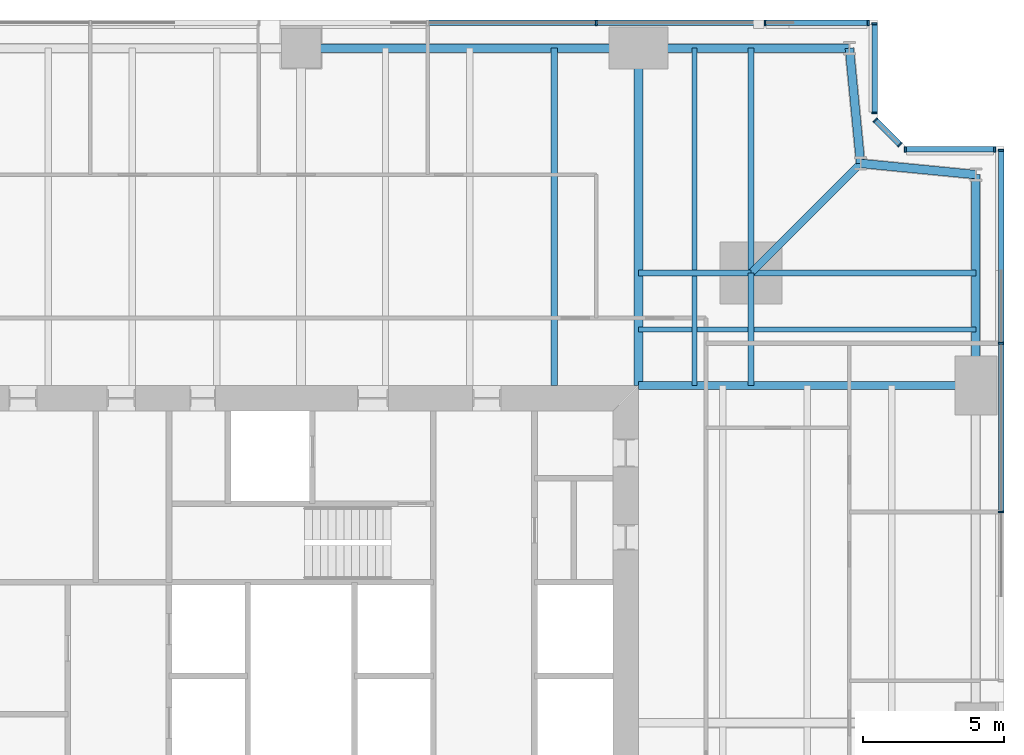
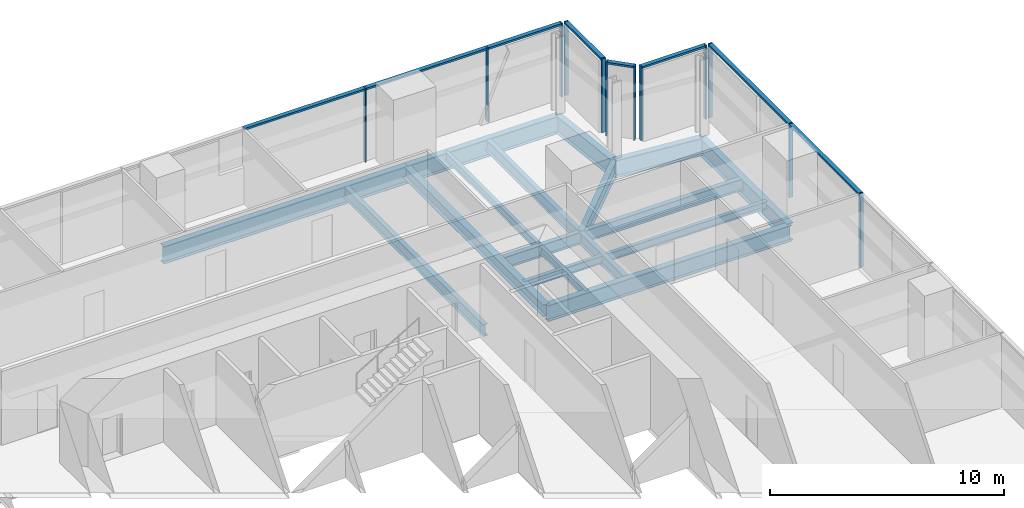
# One storey, part 7 of 13: 20 members, 18 beams, 5 elements without a shape of their own.
"""IFC4 building model written with IfcOpenShell, lengths in metres."""

from ifc_helpers import new_model, si_unit, direction, frame, origin, origin_2d, place, context, subcontext, project, spatial, rectangle, i_section, extrude, material, material_profile, profile_set, type_object, element, aggregate, save


model = new_model("IFC4")

# Units and contexts
model_context = context("Model", 3, precision=1e-05, world=origin(), true_north=direction((0.0, 1.0)))
body_context = subcontext(model_context, "Body", "Model", "MODEL_VIEW")
ifc_project = project(units=[si_unit("LENGTHUNIT", "METRE"), si_unit("AREAUNIT", "SQUARE_METRE"), si_unit("VOLUMEUNIT", "CUBIC_METRE"), si_unit("PLANEANGLEUNIT", "RADIAN"), si_unit("MASSUNIT", "GRAM", prefix="KILO")], contexts=[model_context])

# Site, building, storey
site_placement = place(None, origin())
site = spatial("IfcSite", under=ifc_project, at=site_placement, CompositionType="ELEMENT")
building_placement = place(site_placement, origin())
building = spatial("IfcBuilding", under=site, at=building_placement, Name="Fenwick Lantern Interchange", CompositionType="ELEMENT")
storey_placement = place(building_placement, frame((0.0, 0.0, 110.39990234375)))
storey = spatial("IfcBuildingStorey", under=building, at=storey_placement, Name="L25", CompositionType="ELEMENT", Elevation=110.39990234375)

# Beams
ifc_material_1 = material(Name="Steel ASTM A992 Grade 50", Category="steel")
ifc_material_profile_1 = material_profile(ifc_material_1, i_section(OverallWidth=0.3046875, OverallDepth=0.911865234375, WebThickness=0.015869140625, FlangeThickness=0.02392578125, at=origin_2d()), Name="W36X150")
ifc_profile_set_1 = profile_set([ifc_material_profile_1], Name="Steel ASTM A992 Grade 50")
beam_type_1 = type_object("IfcBeamType", Name="EDGE BEAM W36X150", PredefinedType="SPANDREL", material=ifc_profile_set_1)
beam_1_placement = place(storey_placement, frame((49.0, 37.0, -0.605712890625), z_axis=(0.0, 1.0, 0.0), x_axis=(-1.0, 0.0, 0.0)))
element("IfcBeam", 1, at=beam_1_placement, inside=storey, type_object=beam_type_1, Name="L25/FR/E/EB4", PredefinedType="SPANDREL", context=body_context, shape_type="SweptSolid", body=[
    extrude(i_section(OverallWidth=0.3046875, OverallDepth=0.911865234375, WebThickness=0.015869140625, FlangeThickness=0.02392578125, at=origin_2d()), origin(), (0.0, 0.0, 1.0), 7.5),
])
for number, where, z_axis, x_axis, name in (
    (2, (49.0, 44.5, -0.605712890625), (-0.995277148028, 0.097074191287, 0.0), (-0.097074191287, -0.995277148028, 0.0), "L25/FR/E/EBR1"),
    (3, (44.89990234375, 44.89990234375, -0.605712890625), (-0.097074191287, 0.995277148028, 0.0), (-0.995277148028, -0.097074191287, 0.0), "L25/FR/E/EBR2"),
):
    element("IfcBeam", number, at=place(storey_placement, frame(where, z_axis=z_axis, x_axis=x_axis)), inside=storey, type_object=beam_type_1, Name=name, PredefinedType="SPANDREL", context=body_context, shape_type="SweptSolid", body=[
        extrude(i_section(OverallWidth=0.3046875, OverallDepth=0.911865234375, WebThickness=0.015869140625, FlangeThickness=0.02392578125, at=origin_2d()), origin(), (0.0, 0.0, 1.0), 4.11962890625),
    ])
beam_2_placement = place(storey_placement, frame((44.5, 49.0, -0.605712890625), z_axis=(-1.0, 0.0, 0.0), x_axis=(0.0, -1.0, 0.0)))
element("IfcBeam", 4, at=beam_2_placement, inside=storey, type_object=beam_type_1, Name="L25/FR/N/EB1", PredefinedType="SPANDREL", context=body_context, shape_type="SweptSolid", body=[
    extrude(i_section(OverallWidth=0.3046875, OverallDepth=0.911865234375, WebThickness=0.015869140625, FlangeThickness=0.02392578125, at=origin_2d()), origin(), (0.0, 0.0, 1.0), 7.5),
])
beam_3_placement = place(storey_placement, frame((37.0, 49.0, -0.605712890625), z_axis=(-1.0, 0.0, 0.0), x_axis=(0.0, -1.0, 0.0)))
element("IfcBeam", 5, at=beam_3_placement, inside=storey, type_object=beam_type_1, Name="L25/FR/N/EB2", PredefinedType="SPANDREL", context=body_context, shape_type="SweptSolid", body=[
    extrude(i_section(OverallWidth=0.3046875, OverallDepth=0.911865234375, WebThickness=0.015869140625, FlangeThickness=0.02392578125, at=origin_2d()), origin(), (0.0, 0.0, 1.0), 12.0),
])
ifc_material_profile_2 = material_profile(ifc_material_1, i_section(OverallWidth=0.22900390625, OverallDepth=0.612060546875, WebThickness=0.011962890625, FlangeThickness=0.01953125, at=origin_2d()), Name="W24X84")
ifc_profile_set_2 = profile_set([ifc_material_profile_2], Name="Steel ASTM A992 Grade 50")
beam_type_2 = type_object("IfcBeamType", Name="FLOOR BEAM W24X84", PredefinedType="BEAM", material=ifc_profile_set_2)
beam_4_placement = place(storey_placement, frame((34.0, 49.0, -0.4560546875), z_axis=(0.0, -1.0, 0.0), x_axis=(1.0, 0.0, 0.0)))
element("IfcBeam", 6, at=beam_4_placement, inside=storey, type_object=beam_type_2, Name="L25/FR/N/R02", PredefinedType="BEAM", context=body_context, shape_type="SweptSolid", body=[
    extrude(i_section(OverallWidth=0.22900390625, OverallDepth=0.612060546875, WebThickness=0.011962890625, FlangeThickness=0.01953125, at=origin_2d()), origin(), (0.0, 0.0, 1.0), 12.0),
])
ifc_material_profile_3 = material_profile(ifc_material_1, i_section(OverallWidth=0.177734375, OverallDepth=0.406494140625, WebThickness=0.0078125, FlangeThickness=0.012939453125, at=origin_2d()), Name="W16X40")
ifc_profile_set_3 = profile_set([ifc_material_profile_3], Name="Steel ASTM A992 Grade 50")
beam_type_3 = type_object("IfcBeamType", Name="INFILL BEAM W16X40", PredefinedType="JOIST", material=ifc_profile_set_3)
beam_5_placement = place(storey_placement, frame((39.0, 49.0, -0.35302734375), z_axis=(0.0, -1.0, 0.0), x_axis=(1.0, 0.0, 0.0)))
element("IfcBeam", 7, at=beam_5_placement, inside=storey, type_object=beam_type_3, Name="L25/FR/N/J1", PredefinedType="JOIST", context=body_context, shape_type="SweptSolid", body=[
    extrude(i_section(OverallWidth=0.177734375, OverallDepth=0.406494140625, WebThickness=0.0078125, FlangeThickness=0.012939453125, at=origin_2d()), origin(), (0.0, 0.0, 1.0), 7.885498046875),
])
beam_6_placement = place(storey_placement, frame((39.0, 40.885498046875, -0.35302734375), z_axis=(0.0, -1.0, 0.0), x_axis=(1.0, 0.0, 0.0)))
element("IfcBeam", 8, at=beam_6_placement, inside=storey, type_object=beam_type_3, Name="L25/FR/N/J2", PredefinedType="JOIST", context=body_context, shape_type="SweptSolid", body=[
    extrude(i_section(OverallWidth=0.177734375, OverallDepth=0.406494140625, WebThickness=0.0078125, FlangeThickness=0.012939453125, at=origin_2d()), origin(), (0.0, 0.0, 1.0), 3.885498046875),
])
beam_7_placement = place(storey_placement, frame((49.0, 39.0, -0.35302734375), z_axis=(-1.0, 0.0, 0.0), x_axis=(0.0, -1.0, 0.0)))
element("IfcBeam", 9, at=beam_7_placement, inside=storey, type_object=beam_type_3, Name="L25/FR/N/J3", PredefinedType="JOIST", context=body_context, shape_type="SweptSolid", body=[
    extrude(i_section(OverallWidth=0.177734375, OverallDepth=0.406494140625, WebThickness=0.0078125, FlangeThickness=0.012939453125, at=origin_2d()), origin(), (0.0, 0.0, 1.0), 7.885498046875),
])
beam_8_placement = place(storey_placement, frame((40.885498046875, 39.0, -0.35302734375), z_axis=(-1.0, 0.0, 0.0), x_axis=(0.0, -1.0, 0.0)))
element("IfcBeam", 10, at=beam_8_placement, inside=storey, type_object=beam_type_3, Name="L25/FR/N/J4", PredefinedType="JOIST", context=body_context, shape_type="SweptSolid", body=[
    extrude(i_section(OverallWidth=0.177734375, OverallDepth=0.406494140625, WebThickness=0.0078125, FlangeThickness=0.012939453125, at=origin_2d()), origin(), (0.0, 0.0, 1.0), 1.796630859375),
])
beam_9_placement = place(storey_placement, frame((38.9111328125, 39.0, -0.35302734375), z_axis=(-1.0, 0.0, 0.0), x_axis=(0.0, -1.0, 0.0)))
element("IfcBeam", 11, at=beam_9_placement, inside=storey, type_object=beam_type_3, Name="L25/FR/N/J5", PredefinedType="JOIST", context=body_context, shape_type="SweptSolid", body=[
    extrude(i_section(OverallWidth=0.177734375, OverallDepth=0.406494140625, WebThickness=0.0078125, FlangeThickness=0.012939453125, at=origin_2d()), origin(), (0.0, 0.0, 1.0), 1.9111328125),
])
ifc_material_profile_4 = material_profile(ifc_material_1, i_section(OverallWidth=0.22900390625, OverallDepth=0.612060546875, WebThickness=0.011962890625, FlangeThickness=0.01953125, at=origin_2d()), Name="W24X84")
ifc_profile_set_4 = profile_set([ifc_material_profile_4], Name="Steel ASTM A992 Grade 50")
beam_type_4 = type_object("IfcBeamType", Name="MEGA COLUMN BEAM W24X84", PredefinedType="BEAM", material=ifc_profile_set_4)
for number, where, z_axis, x_axis, name in (
    (12, (41.0, 41.0, -0.4560546875), (0.0, 1.0, 0.0), (-1.0, 0.0, 0.0), "L25/FR/N/MB1"),
    (13, (41.0, 41.0, -0.4560546875), (1.0, 0.0, 0.0), (0.0, 1.0, 0.0), "L25/FR/N/MB2"),
):
    element("IfcBeam", number, at=place(storey_placement, frame(where, z_axis=z_axis, x_axis=x_axis)), inside=storey, type_object=beam_type_4, Name=name, PredefinedType="BEAM", context=body_context, shape_type="SweptSolid", body=[
        extrude(i_section(OverallWidth=0.22900390625, OverallDepth=0.612060546875, WebThickness=0.011962890625, FlangeThickness=0.01953125, at=origin_2d()), origin(), (0.0, 0.0, 1.0), 8.0),
    ])
for number, where, z_axis, x_axis, name in (
    (14, (41.0, 41.0, -0.4560546875), (-1.0, 0.0, 0.0), (0.0, -1.0, 0.0), "L25/FR/N/MB3"),
    (15, (41.0, 41.0, -0.4560546875), (0.0, -1.0, 0.0), (1.0, 0.0, 0.0), "L25/FR/N/MB4"),
):
    element("IfcBeam", number, at=place(storey_placement, frame(where, z_axis=z_axis, x_axis=x_axis)), inside=storey, type_object=beam_type_4, Name=name, PredefinedType="BEAM", context=body_context, shape_type="SweptSolid", body=[
        extrude(i_section(OverallWidth=0.22900390625, OverallDepth=0.612060546875, WebThickness=0.011962890625, FlangeThickness=0.01953125, at=origin_2d()), origin(), (0.0, 0.0, 1.0), 4.0),
    ])
ifc_material_profile_5 = material_profile(ifc_material_1, i_section(OverallWidth=0.32763671875, OverallDepth=0.622314453125, WebThickness=0.015380859375, FlangeThickness=0.0244140625, at=origin_2d()), Name="W24X131")
ifc_profile_set_5 = profile_set([ifc_material_profile_5], Name="Steel ASTM A992 Grade 50")
beam_type_5 = type_object("IfcBeamType", Name="MOMENT-CONNECTED GIRDER W24X131", PredefinedType="BEAM", material=ifc_profile_set_5)
beam_10_placement = place(storey_placement, frame((37.0, 49.0, -0.4609375), z_axis=(0.0, -1.0, 0.0), x_axis=(1.0, 0.0, 0.0)))
element("IfcBeam", 16, at=beam_10_placement, inside=storey, type_object=beam_type_5, Name="L25/FR/N/R01", PredefinedType="BEAM", context=body_context, shape_type="SweptSolid", body=[
    extrude(i_section(OverallWidth=0.32763671875, OverallDepth=0.622314453125, WebThickness=0.015380859375, FlangeThickness=0.0244140625, at=origin_2d()), origin(), (0.0, 0.0, 1.0), 12.0),
])
ifc_material_profile_6 = material_profile(ifc_material_1, i_section(OverallWidth=0.2919921875, OverallDepth=0.845703125, WebThickness=0.015380859375, FlangeThickness=0.0244140625, at=origin_2d()), Name="W33X141")
ifc_profile_set_6 = profile_set([ifc_material_profile_6], Name="Steel ASTM A992 Grade 50")
beam_type_6 = type_object("IfcBeamType", Name="MOMENT-CONNECTED GIRDER W33X141", PredefinedType="BEAM", material=ifc_profile_set_6)
beam_11_placement = place(storey_placement, frame((49.0, 37.0, -0.57275390625), z_axis=(-1.0, 0.0, 0.0), x_axis=(0.0, -1.0, 0.0)))
element("IfcBeam", 17, at=beam_11_placement, inside=storey, type_object=beam_type_6, Name="L25/FR/E/R03", PredefinedType="BEAM", context=body_context, shape_type="SweptSolid", body=[
    extrude(i_section(OverallWidth=0.2919921875, OverallDepth=0.845703125, WebThickness=0.015380859375, FlangeThickness=0.0244140625, at=origin_2d()), origin(), (0.0, 0.0, 1.0), 12.0),
])
ifc_material_profile_7 = material_profile(ifc_material_1, i_section(OverallWidth=0.2666015625, OverallDepth=0.7568359375, WebThickness=0.013916015625, FlangeThickness=0.019287109375, at=origin_2d()), Name="W30X108")
ifc_profile_set_7 = profile_set([ifc_material_profile_7], Name="Steel ASTM A992 Grade 50")
beam_type_7 = type_object("IfcBeamType", Name="NOTCH BEAM W30X108", PredefinedType="BEAM", material=ifc_profile_set_7)
beam_12_placement = place(storey_placement, frame((41.0, 41.0, -0.5283203125), z_axis=(0.707106781187, 0.707106781187, 0.0), x_axis=(-0.707106781187, 0.707106781187, 0.0)))
element("IfcBeam", 18, at=beam_12_placement, inside=storey, type_object=beam_type_7, Name="L25/FR/N/TG", PredefinedType="BEAM", context=body_context, shape_type="SweptSolid", body=[
    extrude(i_section(OverallWidth=0.2666015625, OverallDepth=0.7568359375, WebThickness=0.013916015625, FlangeThickness=0.019287109375, at=origin_2d()), origin(), (0.0, 0.0, 1.0), 5.515380859375),
])

# Curtain wall, members
ifc_material_2 = material(Name="Aluminium curtain wall frame", Category="aluminium")
curtain_wall_type = type_object("IfcCurtainWallType", Name="OFFICE CURTAIN WALL", PredefinedType="USERDEFINED", material=ifc_material_2)
curtain_wall_1_placement = place(storey_placement, origin())
curtain_wall_1 = element("IfcCurtainWall", 19, at=curtain_wall_1_placement, inside=storey, type_object=curtain_wall_type, Name="Office curtain wall 05", ObjectType="OFFICE CURTAIN WALL", PredefinedType="USERDEFINED")
ifc_material_3 = material(Name="Aluminium extrusion", Category="aluminium")
ifc_material_profile_8 = material_profile(ifc_material_3, rectangle(XDim=0.199951171875, YDim=0.06494140625, at=origin_2d()), Name="OFFICE CURTAIN WALL MULLION 65 X 200")
ifc_profile_set_8 = profile_set([ifc_material_profile_8], Name="Aluminium extrusion")
member_type_1 = type_object("IfcMemberType", Name="OFFICE CURTAIN WALL MULLION 65 X 200", PredefinedType="MULLION", material=ifc_profile_set_8)
member_1_placement = place(storey_placement, frame((49.89990234375, 32.5, 0.0), z_axis=(0.0, 0.0, 1.0), x_axis=(-1.0, 0.0, 0.0)))
member_1 = element("IfcMember", 20, at=member_1_placement, type_object=member_type_1, Name="L25/CW/05/M05", PredefinedType="MULLION", context=body_context, shape_type="SweptSolid", body=[
    extrude(rectangle(XDim=0.199951171875, YDim=0.06494140625, at=origin_2d()), origin(), (0.0, 0.0, 1.0), 3.85009765625),
])
member_2_placement = place(storey_placement, frame((49.89990234375, 38.5, 0.0), z_axis=(0.0, 0.0, 1.0), x_axis=(-1.0, 0.0, 0.0)))
member_2 = element("IfcMember", 21, at=member_2_placement, type_object=member_type_1, Name="L25/CW/05/M06", PredefinedType="MULLION", context=body_context, shape_type="SweptSolid", body=[
    extrude(rectangle(XDim=0.199951171875, YDim=0.06494140625, at=origin_2d()), origin(), (0.0, 0.0, 1.0), 3.85009765625),
])
member_3_placement = place(storey_placement, frame((49.89990234375, 45.367431640625, 0.0), z_axis=(0.0, 0.0, 1.0), x_axis=(-1.0, 0.0, 0.0)))
member_3 = element("IfcMember", 22, at=member_3_placement, type_object=member_type_1, Name="L25/CW/05/M07", PredefinedType="MULLION", context=body_context, shape_type="SweptSolid", body=[
    extrude(rectangle(XDim=0.199951171875, YDim=0.06494140625, at=origin_2d()), origin(), (0.0, 0.0, 1.0), 3.85009765625),
])

curtain_wall_2_placement = place(storey_placement, origin())
curtain_wall_2 = element("IfcCurtainWall", 23, at=curtain_wall_2_placement, inside=storey, type_object=curtain_wall_type, Name="Office curtain wall 06", ObjectType="OFFICE CURTAIN WALL", PredefinedType="USERDEFINED")
member_4_placement = place(storey_placement, frame((49.66748046875, 45.39990234375, 0.0), z_axis=(0.0, 0.0, 1.0), x_axis=(0.0, -1.0, 0.0)))
member_4 = element("IfcMember", 24, at=member_4_placement, type_object=member_type_1, Name="L25/CW/06/M00", PredefinedType="MULLION", context=body_context, shape_type="SweptSolid", body=[
    extrude(rectangle(XDim=0.199951171875, YDim=0.06494140625, at=origin_2d()), origin(), (0.0, 0.0, 1.0), 3.85009765625),
])
member_5_placement = place(storey_placement, frame((46.490966796875, 45.39990234375, 0.0), z_axis=(0.0, 0.0, 1.0), x_axis=(0.0, -1.0, 0.0)))
member_5 = element("IfcMember", 25, at=member_5_placement, type_object=member_type_1, Name="L25/CW/06/M01", PredefinedType="MULLION", context=body_context, shape_type="SweptSolid", body=[
    extrude(rectangle(XDim=0.199951171875, YDim=0.06494140625, at=origin_2d()), origin(), (0.0, 0.0, 1.0), 3.85009765625),
])

curtain_wall_3_placement = place(storey_placement, origin())
curtain_wall_3 = element("IfcCurtainWall", 26, at=curtain_wall_3_placement, inside=storey, type_object=curtain_wall_type, Name="Office curtain wall 07", ObjectType="OFFICE CURTAIN WALL", PredefinedType="USERDEFINED")
member_6_placement = place(storey_placement, frame((46.294189453125, 45.564453125, 0.0), z_axis=(0.0, 0.0, 1.0), x_axis=(-0.707106781187, -0.707106781187, 0.0)))
member_6 = element("IfcMember", 27, at=member_6_placement, type_object=member_type_1, Name="L25/CW/07/M00", PredefinedType="MULLION", context=body_context, shape_type="SweptSolid", body=[
    extrude(rectangle(XDim=0.199951171875, YDim=0.06494140625, at=origin_2d()), origin(), (0.0, 0.0, 1.0), 3.85009765625),
])
member_7_placement = place(storey_placement, frame((45.423095703125, 46.435546875, 0.0), z_axis=(0.0, 0.0, 1.0), x_axis=(-0.707106781187, -0.707106781187, 0.0)))
member_7 = element("IfcMember", 28, at=member_7_placement, type_object=member_type_1, Name="L25/CW/07/M01", PredefinedType="MULLION", context=body_context, shape_type="SweptSolid", body=[
    extrude(rectangle(XDim=0.199951171875, YDim=0.06494140625, at=origin_2d()), origin(), (0.0, 0.0, 1.0), 3.85009765625),
])

curtain_wall_4_placement = place(storey_placement, origin())
curtain_wall_4 = element("IfcCurtainWall", 29, at=curtain_wall_4_placement, inside=storey, type_object=curtain_wall_type, Name="Office curtain wall 08", ObjectType="OFFICE CURTAIN WALL", PredefinedType="USERDEFINED")
member_8_placement = place(storey_placement, frame((45.39990234375, 46.691162109375, 0.0), z_axis=(0.0, 0.0, 1.0), x_axis=(-1.0, 0.0, 0.0)))
member_8 = element("IfcMember", 30, at=member_8_placement, type_object=member_type_1, Name="L25/CW/08/M00", PredefinedType="MULLION", context=body_context, shape_type="SweptSolid", body=[
    extrude(rectangle(XDim=0.199951171875, YDim=0.06494140625, at=origin_2d()), origin(), (0.0, 0.0, 1.0), 3.85009765625),
])
member_9_placement = place(storey_placement, frame((45.39990234375, 49.867431640625, 0.0), z_axis=(0.0, 0.0, 1.0), x_axis=(-1.0, 0.0, 0.0)))
member_9 = element("IfcMember", 31, at=member_9_placement, type_object=member_type_1, Name="L25/CW/08/M01", PredefinedType="MULLION", context=body_context, shape_type="SweptSolid", body=[
    extrude(rectangle(XDim=0.199951171875, YDim=0.06494140625, at=origin_2d()), origin(), (0.0, 0.0, 1.0), 3.85009765625),
])

curtain_wall_5_placement = place(storey_placement, origin())
curtain_wall_5 = element("IfcCurtainWall", 32, at=curtain_wall_5_placement, inside=storey, type_object=curtain_wall_type, Name="Office curtain wall 09", ObjectType="OFFICE CURTAIN WALL", PredefinedType="USERDEFINED")
member_10_placement = place(storey_placement, frame((45.16748046875, 49.89990234375, 0.0), z_axis=(0.0, 0.0, 1.0), x_axis=(0.0, -1.0, 0.0)))
member_10 = element("IfcMember", 33, at=member_10_placement, type_object=member_type_1, Name="L25/CW/09/M00", PredefinedType="MULLION", context=body_context, shape_type="SweptSolid", body=[
    extrude(rectangle(XDim=0.199951171875, YDim=0.06494140625, at=origin_2d()), origin(), (0.0, 0.0, 1.0), 3.85009765625),
])
member_11_placement = place(storey_placement, frame((41.5, 49.89990234375, 0.0), z_axis=(0.0, 0.0, 1.0), x_axis=(0.0, -1.0, 0.0)))
member_11 = element("IfcMember", 34, at=member_11_placement, type_object=member_type_1, Name="L25/CW/09/M01", PredefinedType="MULLION", context=body_context, shape_type="SweptSolid", body=[
    extrude(rectangle(XDim=0.199951171875, YDim=0.06494140625, at=origin_2d()), origin(), (0.0, 0.0, 1.0), 3.85009765625),
])
member_12_placement = place(storey_placement, frame((35.5, 49.89990234375, 0.0), z_axis=(0.0, 0.0, 1.0), x_axis=(0.0, -1.0, 0.0)))
member_12 = element("IfcMember", 35, at=member_12_placement, type_object=member_type_1, Name="L25/CW/09/M02", PredefinedType="MULLION", context=body_context, shape_type="SweptSolid", body=[
    extrude(rectangle(XDim=0.199951171875, YDim=0.06494140625, at=origin_2d()), origin(), (0.0, 0.0, 1.0), 3.85009765625),
])

# Member
ifc_material_profile_9 = material_profile(ifc_material_3, rectangle(XDim=0.199951171875, YDim=0.10009765625, at=origin_2d()), Name="OFFICE CURTAIN WALL TRANSOM 100 X 200")
ifc_profile_set_9 = profile_set([ifc_material_profile_9], Name="Aluminium extrusion")
member_type_2 = type_object("IfcMemberType", Name="OFFICE CURTAIN WALL TRANSOM 100 X 200", PredefinedType="MULLION", material=ifc_profile_set_9)
member_13_placement = place(storey_placement, frame((49.89990234375, 32.532470703125, 3.800048828125), z_axis=(0.0, 1.0, 0.0), x_axis=(-1.0, 0.0, 0.0)))
member_13 = element("IfcMember", 36, at=member_13_placement, type_object=member_type_2, Name="L25/CW/05/T05", PredefinedType="MULLION", context=body_context, shape_type="SweptSolid", body=[
    extrude(rectangle(XDim=0.199951171875, YDim=0.10009765625, at=origin_2d()), origin(), (0.0, 0.0, 1.0), 5.93505859375),
])

member_14_placement = place(storey_placement, frame((49.89990234375, 38.532470703125, 3.800048828125), z_axis=(0.0, 1.0, 0.0), x_axis=(-1.0, 0.0, 0.0)))
member_14 = element("IfcMember", 37, at=member_14_placement, type_object=member_type_2, Name="L25/CW/05/T06", PredefinedType="MULLION", context=body_context, shape_type="SweptSolid", body=[
    extrude(rectangle(XDim=0.199951171875, YDim=0.10009765625, at=origin_2d()), origin(), (0.0, 0.0, 1.0), 6.802490234375),
])

aggregate(curtain_wall_1, [member_1, member_2, member_3, member_13, member_14])

member_15_placement = place(storey_placement, frame((49.635009765625, 45.39990234375, 3.800048828125), z_axis=(-1.0, 0.0, 0.0), x_axis=(0.0, -1.0, 0.0)))
member_15 = element("IfcMember", 38, at=member_15_placement, type_object=member_type_2, Name="L25/CW/06/T00", PredefinedType="MULLION", context=body_context, shape_type="SweptSolid", body=[
    extrude(rectangle(XDim=0.199951171875, YDim=0.10009765625, at=origin_2d()), origin(), (0.0, 0.0, 1.0), 3.111328125),
])

aggregate(curtain_wall_2, [member_4, member_5, member_15])

member_16_placement = place(storey_placement, frame((46.271240234375, 45.58740234375, 3.800048828125), z_axis=(-0.707106781187, 0.707106781187, 0.0), x_axis=(-0.707106781187, -0.707106781187, 0.0)))
member_16 = element("IfcMember", 39, at=member_16_placement, type_object=member_type_2, Name="L25/CW/07/T00", PredefinedType="MULLION", context=body_context, shape_type="SweptSolid", body=[
    extrude(rectangle(XDim=0.199951171875, YDim=0.10009765625, at=origin_2d()), origin(), (0.0, 0.0, 1.0), 1.1669921875),
])

aggregate(curtain_wall_3, [member_6, member_7, member_16])

member_17_placement = place(storey_placement, frame((45.39990234375, 46.7236328125, 3.800048828125), z_axis=(0.0, 1.0, 0.0), x_axis=(-1.0, 0.0, 0.0)))
member_17 = element("IfcMember", 40, at=member_17_placement, type_object=member_type_2, Name="L25/CW/08/T00", PredefinedType="MULLION", context=body_context, shape_type="SweptSolid", body=[
    extrude(rectangle(XDim=0.199951171875, YDim=0.10009765625, at=origin_2d()), origin(), (0.0, 0.0, 1.0), 3.111328125),
])

aggregate(curtain_wall_4, [member_8, member_9, member_17])

member_18_placement = place(storey_placement, frame((45.135009765625, 49.89990234375, 3.800048828125), z_axis=(-1.0, 0.0, 0.0), x_axis=(0.0, -1.0, 0.0)))
member_18 = element("IfcMember", 41, at=member_18_placement, type_object=member_type_2, Name="L25/CW/09/T00", PredefinedType="MULLION", context=body_context, shape_type="SweptSolid", body=[
    extrude(rectangle(XDim=0.199951171875, YDim=0.10009765625, at=origin_2d()), origin(), (0.0, 0.0, 1.0), 3.6025390625),
])

member_19_placement = place(storey_placement, frame((41.467529296875, 49.89990234375, 3.800048828125), z_axis=(-1.0, 0.0, 0.0), x_axis=(0.0, -1.0, 0.0)))
member_19 = element("IfcMember", 42, at=member_19_placement, type_object=member_type_2, Name="L25/CW/09/T01", PredefinedType="MULLION", context=body_context, shape_type="SweptSolid", body=[
    extrude(rectangle(XDim=0.199951171875, YDim=0.10009765625, at=origin_2d()), origin(), (0.0, 0.0, 1.0), 5.93505859375),
])

member_20_placement = place(storey_placement, frame((35.467529296875, 49.89990234375, 3.800048828125), z_axis=(-1.0, 0.0, 0.0), x_axis=(0.0, -1.0, 0.0)))
member_20 = element("IfcMember", 43, at=member_20_placement, type_object=member_type_2, Name="L25/CW/09/T02", PredefinedType="MULLION", context=body_context, shape_type="SweptSolid", body=[
    extrude(rectangle(XDim=0.199951171875, YDim=0.10009765625, at=origin_2d()), origin(), (0.0, 0.0, 1.0), 5.93505859375),
])

aggregate(curtain_wall_5, [member_10, member_11, member_12, member_18, member_19, member_20])

save(model, "model.ifc")
